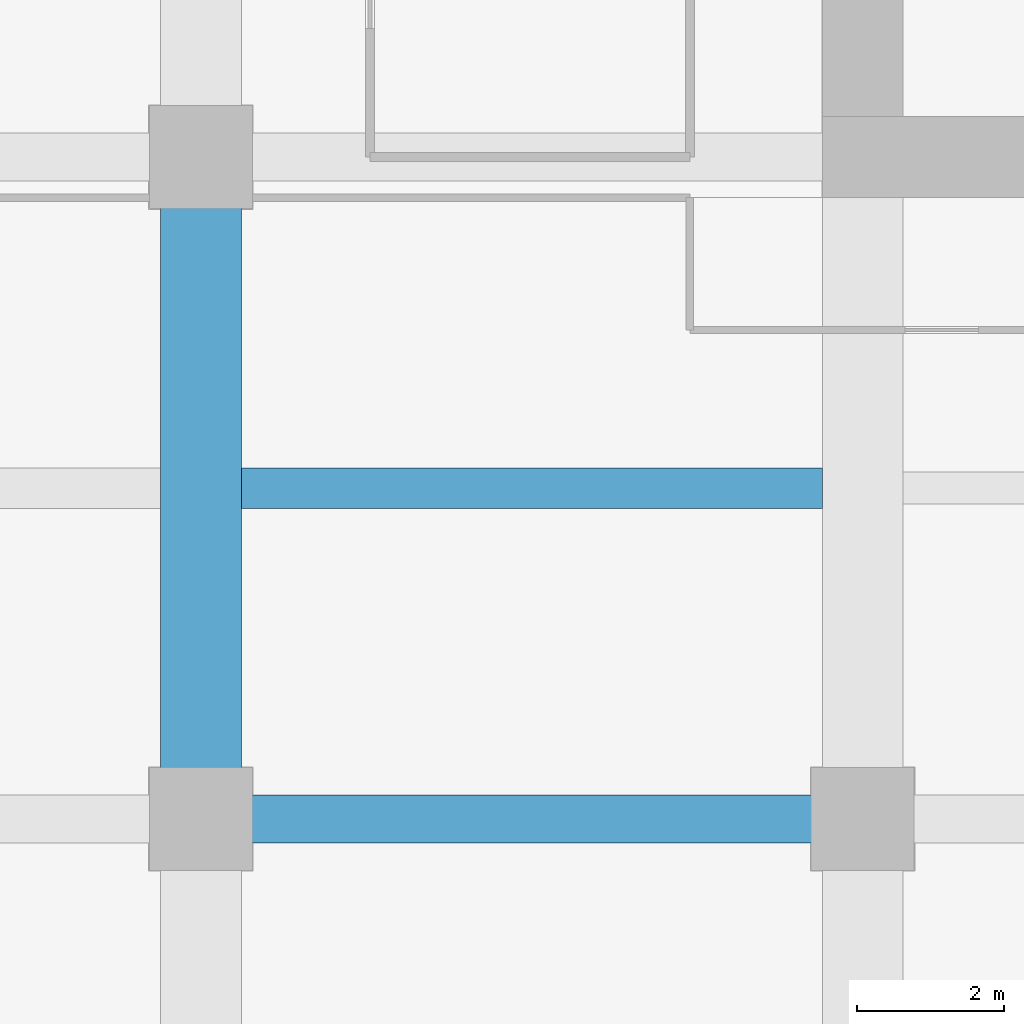
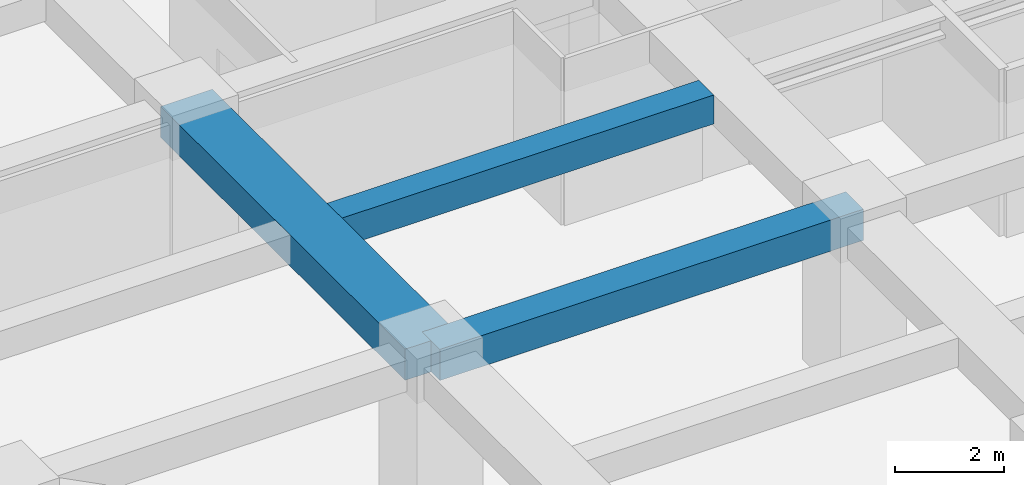
# One storey, part 5 of 32: 3 beams.
"""IFC4 building model written with IfcOpenShell, lengths in metres."""

from ifc_helpers import new_model, si_unit, direction, frame, origin, origin_2d, place, context, subcontext, project, spatial, rectangle, extrude, material, material_profile, profile_set, type_object, element, save


model = new_model("IFC4")

# Units and contexts
model_context = context("Model", 3, precision=1e-05, world=origin(), true_north=direction((0.0, 1.0)))
body_context = subcontext(model_context, "Body", "Model", "MODEL_VIEW")
ifc_project = project(units=[si_unit("LENGTHUNIT", "METRE"), si_unit("AREAUNIT", "SQUARE_METRE"), si_unit("VOLUMEUNIT", "CUBIC_METRE"), si_unit("PLANEANGLEUNIT", "RADIAN"), si_unit("MASSUNIT", "GRAM", prefix="KILO")], contexts=[model_context])

# Site, building, storey
site_placement = place(None, origin())
site = spatial("IfcSite", under=ifc_project, at=site_placement, CompositionType="ELEMENT")
building_placement = place(site_placement, origin())
building = spatial("IfcBuilding", under=site, at=building_placement, Name="Zorevar Civic Tower", CompositionType="ELEMENT")
storey_placement = place(building_placement, frame((0.0, 0.0, 202.199951171875)))
storey = spatial("IfcBuildingStorey", under=building, at=storey_placement, Name="L49", CompositionType="ELEMENT", Elevation=202.199951171875)

# Beams
ifc_material_1 = material(Name="Concrete C50/60", Category="concrete")
ifc_material_profile_1 = material_profile(ifc_material_1, rectangle(XDim=1.10009765625, YDim=0.699951171875, at=origin_2d()), Name="RC 1100x700")
ifc_profile_set_1 = profile_set([ifc_material_profile_1], Name="Concrete C50/60")
beam_type_1 = type_object("IfcBeamType", Name="Beam RC 1100x700", PredefinedType="BEAM", material=ifc_profile_set_1)
beam_1_placement = place(storey_placement, frame((9.0, 9.0, 3.400146484375), z_axis=(0.0, 1.0, 0.0), x_axis=(-1.0, 0.0, 0.0)))
element("IfcBeam", 1, at=beam_1_placement, inside=storey, type_object=beam_type_1, Name="Girder L50", PredefinedType="BEAM", context=body_context, shape_type="SweptSolid", body=[
    extrude(rectangle(XDim=1.10009765625, YDim=0.699951171875, at=origin_2d()), origin(), (0.0, 0.0, 1.0), 9.0),
])
ifc_material_2 = material(Name="Concrete C50/60", Category="concrete")
ifc_material_profile_2 = material_profile(ifc_material_2, rectangle(XDim=0.550048828125, YDim=0.64990234375, at=origin_2d()), Name="RC 550x650")
ifc_profile_set_2 = profile_set([ifc_material_profile_2], Name="Concrete C50/60")
beam_type_2 = type_object("IfcBeamType", Name="Beam RC 550x650", PredefinedType="BEAM", material=ifc_profile_set_2)
beam_2_placement = place(storey_placement, frame((9.550048828125, 13.5, 3.425048828125), z_axis=(1.0, 0.0, 0.0), x_axis=(0.0, 1.0, 0.0)))
element("IfcBeam", 2, at=beam_2_placement, inside=storey, type_object=beam_type_2, Name="Secondary beam L50", PredefinedType="BEAM", context=body_context, shape_type="SweptSolid", body=[
    extrude(rectangle(XDim=0.550048828125, YDim=0.64990234375, at=origin_2d()), origin(), (0.0, 0.0, 1.0), 7.89990234375),
])
ifc_material_3 = material(Name="Concrete C50/60", Category="concrete")
ifc_material_profile_3 = material_profile(ifc_material_3, rectangle(XDim=0.64990234375, YDim=0.699951171875, at=origin_2d()), Name="RC 650x700")
ifc_profile_set_3 = profile_set([ifc_material_profile_3], Name="Concrete C50/60")
beam_type_3 = type_object("IfcBeamType", Name="Beam RC 650x700", PredefinedType="BEAM", material=ifc_profile_set_3)
beam_3_placement = place(storey_placement, frame((9.0, 9.0, 3.400146484375), z_axis=(1.0, 0.0, 0.0), x_axis=(0.0, 1.0, 0.0)))
element("IfcBeam", 3, at=beam_3_placement, inside=storey, type_object=beam_type_3, Name="Girder L50", PredefinedType="BEAM", context=body_context, shape_type="SweptSolid", body=[
    extrude(rectangle(XDim=0.64990234375, YDim=0.699951171875, at=origin_2d()), origin(), (0.0, 0.0, 1.0), 9.0),
])

save(model, "model.ifc")
